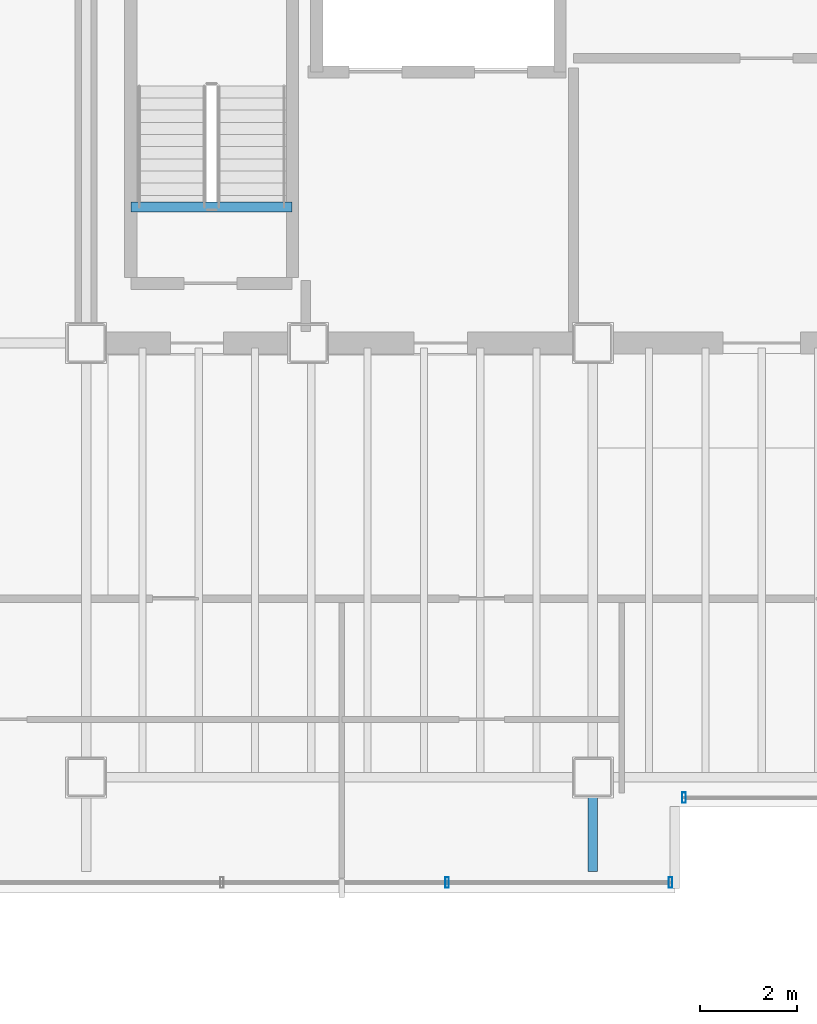
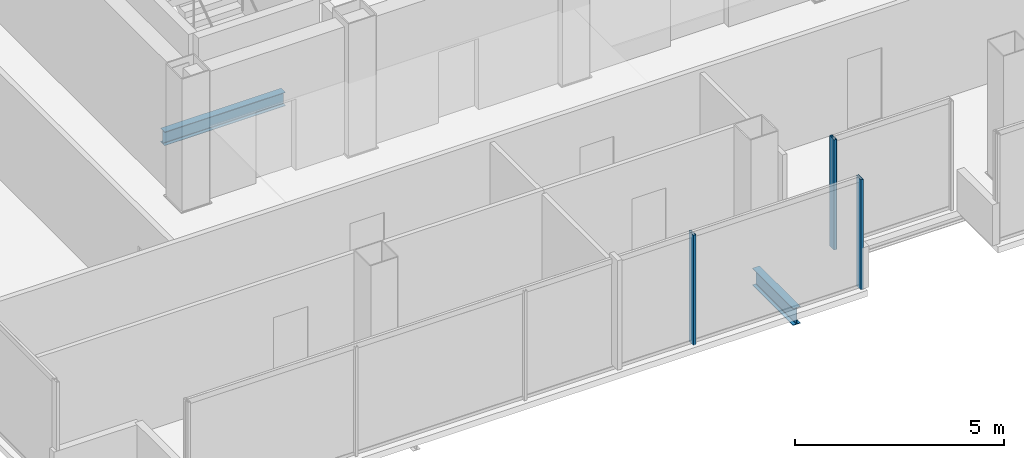
# One storey, part 5 of 17: 3 members, 2 beams, 2 elements without a shape of their own.
"""IFC4 building model written with IfcOpenShell, lengths in metres."""

from ifc_helpers import new_model, si_unit, direction, frame, origin, origin_2d, place, context, subcontext, project, spatial, hollow_rectangle, i_section, extrude, material, material_profile, profile_set, type_object, element, aggregate, save


model = new_model("IFC4")

# Units and contexts
model_context = context("Model", 3, precision=1e-05, world=origin(), true_north=direction((0.0, 1.0)))
body_context = subcontext(model_context, "Body", "Model", "MODEL_VIEW")
ifc_project = project(units=[si_unit("LENGTHUNIT", "METRE"), si_unit("AREAUNIT", "SQUARE_METRE"), si_unit("VOLUMEUNIT", "CUBIC_METRE"), si_unit("PLANEANGLEUNIT", "RADIAN"), si_unit("MASSUNIT", "GRAM", prefix="KILO")], contexts=[model_context])

# Site, building, storey
site_placement = place(None, origin())
site = spatial("IfcSite", under=ifc_project, at=site_placement, CompositionType="ELEMENT")
building_placement = place(site_placement, origin())
building = spatial("IfcBuilding", under=site, at=building_placement, Name="Noeulbin Bourse Tower", CompositionType="ELEMENT")
storey_placement = place(building_placement, frame((0.0, 0.0, 261.800048828125)))
storey = spatial("IfcBuildingStorey", under=building, at=storey_placement, Name="L65", CompositionType="ELEMENT", Elevation=261.800048828125)

# Beams
ifc_material_1 = material(Name="Steel S355", Category="steel")
ifc_material_profile_1 = material_profile(ifc_material_1, i_section(OverallWidth=0.199951171875, OverallDepth=0.5, WebThickness=0.010009765625, FlangeThickness=0.01611328125, FilletRadius=0.02001953125, at=origin_2d()), Name="H-500x200x10x16", Category="LoadBearing")
ifc_profile_set_1 = profile_set([ifc_material_profile_1], Name="Steel S355")
beam_type_1 = type_object("IfcBeamType", Name="BM-GRD-500", PredefinedType="USERDEFINED", material=ifc_profile_set_1)
beam_1_placement = place(storey_placement, frame((24.0, 18.050048828125, -0.429931640625), z_axis=(0.0, 1.0, 0.0), x_axis=(-1.0, 0.0, 0.0)))
element("IfcBeam", 1, at=beam_1_placement, inside=storey, type_object=beam_type_1, Name="Tower Primary Girder NS L65-2.1", ObjectType="GIRDER", PredefinedType="USERDEFINED", context=body_context, shape_type="SweptSolid", body=[
    extrude(i_section(OverallWidth=0.199951171875, OverallDepth=0.5, WebThickness=0.010009765625, FlangeThickness=0.01611328125, FilletRadius=0.02001953125, at=origin_2d()), origin(), (0.0, 0.0, 1.0), 1.949951171875),
])
ifc_material_profile_2 = material_profile(ifc_material_1, i_section(OverallWidth=0.199951171875, OverallDepth=0.39990234375, WebThickness=0.008056640625, FlangeThickness=0.012939453125, FilletRadius=0.01611328125, at=origin_2d()), Name="H-400x200x8x13", Category="LoadBearing")
ifc_profile_set_2 = profile_set([ifc_material_profile_2], Name="Steel S355")
beam_type_2 = type_object("IfcBeamType", Name="BM-SEC-400", PredefinedType="BEAM", material=ifc_profile_set_2)
beam_2_placement = place(storey_placement, frame((14.429931640625, 31.820068359375, -0.199951171875), z_axis=(1.0, 0.0, 0.0), x_axis=(0.0, 1.0, 0.0)))
element("IfcBeam", 2, at=beam_2_placement, inside=storey, type_object=beam_type_2, Name="Stair Threshold Trimmer Beam ST1-L65", PredefinedType="BEAM", context=body_context, shape_type="SweptSolid", body=[
    extrude(i_section(OverallWidth=0.199951171875, OverallDepth=0.39990234375, WebThickness=0.008056640625, FlangeThickness=0.012939453125, FilletRadius=0.01611328125, at=origin_2d()), origin(), (0.0, 0.0, 1.0), 3.340087890625),
])

# Curtain wall, member
ifc_material_2 = material(Name="High-Selectivity Low-Iron Glazing", Category="glass")
curtain_wall_type = type_object("IfcCurtainWallType", Name="CW-SYS-4", PredefinedType="NOTDEFINED", material=ifc_material_2)
curtain_wall_1_placement = place(storey_placement, origin())
curtain_wall_1 = element("IfcCurtainWall", 3, at=curtain_wall_1_placement, inside=storey, type_object=curtain_wall_type, Name="Unitised Curtain Wall CW-L65-SREC", PredefinedType="NOTDEFINED")
ifc_material_3 = material(Name="Anodised Aluminium 6063-T6", Category="aluminium")
ifc_material_profile_3 = material_profile(ifc_material_3, hollow_rectangle(XDim=0.074951171875, YDim=0.219970703125, WallThickness=0.0048828125, InnerFilletRadius=0.00244140625, OuterFilletRadius=0.0048828125, at=origin_2d()), Name="ALU-MULL-75x220x5", Category="LoadBearing")
ifc_profile_set_3 = profile_set([ifc_material_profile_3], Name="Anodised Aluminium 6063-T6")
member_type = type_object("IfcMemberType", Name="CW-SYS-4-MUL", PredefinedType="MULLION", material=ifc_profile_set_3)
member_1_placement = place(storey_placement, frame((25.889892578125, 19.580078125, -0.02001953125), z_axis=(0.0, 0.0, 1.0), x_axis=(1.0, 0.0, 0.0)))
member_1 = element("IfcMember", 4, at=member_1_placement, type_object=member_type, Name="Curtain Wall Mullion CW-L65-SREC-M00", PredefinedType="MULLION", context=body_context, shape_type="SweptSolid", body=[
    extrude(hollow_rectangle(XDim=0.074951171875, YDim=0.219970703125, WallThickness=0.0048828125, InnerFilletRadius=0.00244140625, OuterFilletRadius=0.0048828125, at=origin_2d()), origin(), (0.0, 0.0, 1.0), 3.219970703125),
])
aggregate(curtain_wall_1, [member_1])

# Curtain wall, members
curtain_wall_2_placement = place(storey_placement, origin())
curtain_wall_2 = element("IfcCurtainWall", 5, at=curtain_wall_2_placement, inside=storey, type_object=curtain_wall_type, Name="Unitised Curtain Wall CW-L65-S1", PredefinedType="NOTDEFINED")
member_2_placement = place(storey_placement, frame((20.982421875, 17.820068359375, -0.02001953125), z_axis=(0.0, 0.0, 1.0), x_axis=(1.0, 0.0, 0.0)))
member_2 = element("IfcMember", 6, at=member_2_placement, type_object=member_type, Name="Curtain Wall Mullion CW-L65-S1-M03", PredefinedType="MULLION", context=body_context, shape_type="SweptSolid", body=[
    extrude(hollow_rectangle(XDim=0.074951171875, YDim=0.219970703125, WallThickness=0.0048828125, InnerFilletRadius=0.00244140625, OuterFilletRadius=0.0048828125, at=origin_2d()), origin(), (0.0, 0.0, 1.0), 3.219970703125),
])
member_3_placement = place(storey_placement, frame((25.610107421875, 17.820068359375, -0.02001953125), z_axis=(0.0, 0.0, 1.0), x_axis=(1.0, 0.0, 0.0)))
member_3 = element("IfcMember", 7, at=member_3_placement, type_object=member_type, Name="Curtain Wall Mullion CW-L65-S1-M04", PredefinedType="MULLION", context=body_context, shape_type="SweptSolid", body=[
    extrude(hollow_rectangle(XDim=0.074951171875, YDim=0.219970703125, WallThickness=0.0048828125, InnerFilletRadius=0.00244140625, OuterFilletRadius=0.0048828125, at=origin_2d()), origin(), (0.0, 0.0, 1.0), 3.219970703125),
])
aggregate(curtain_wall_2, [member_2, member_3])

save(model, "model.ifc")
